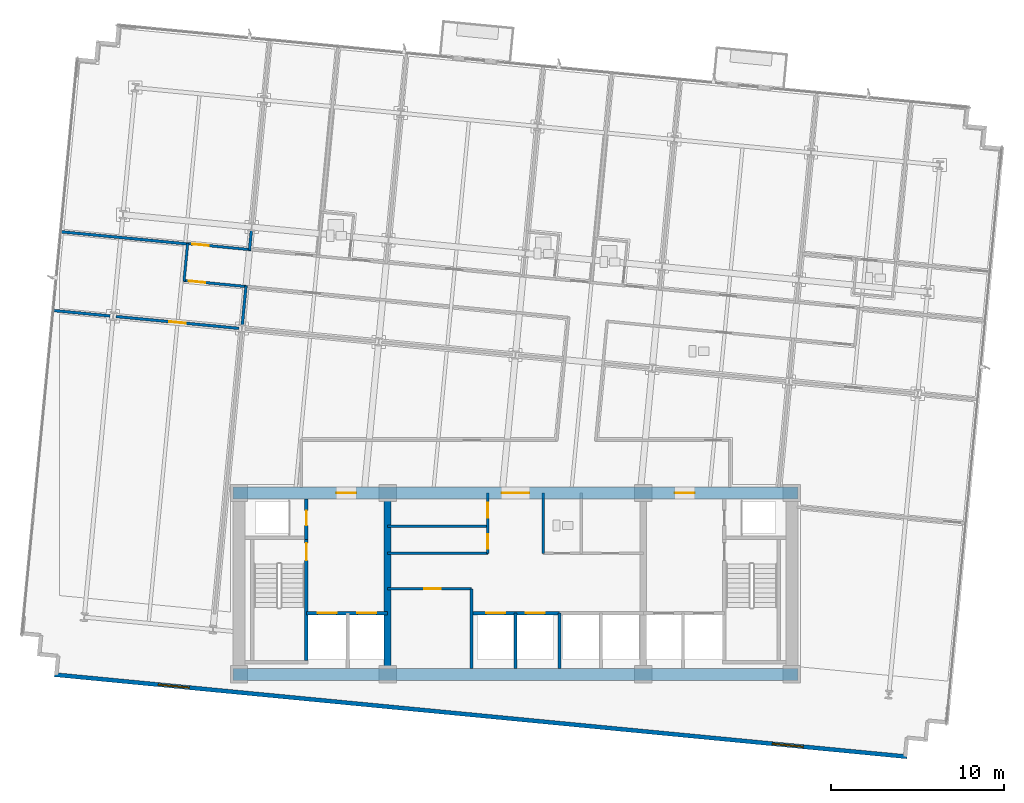
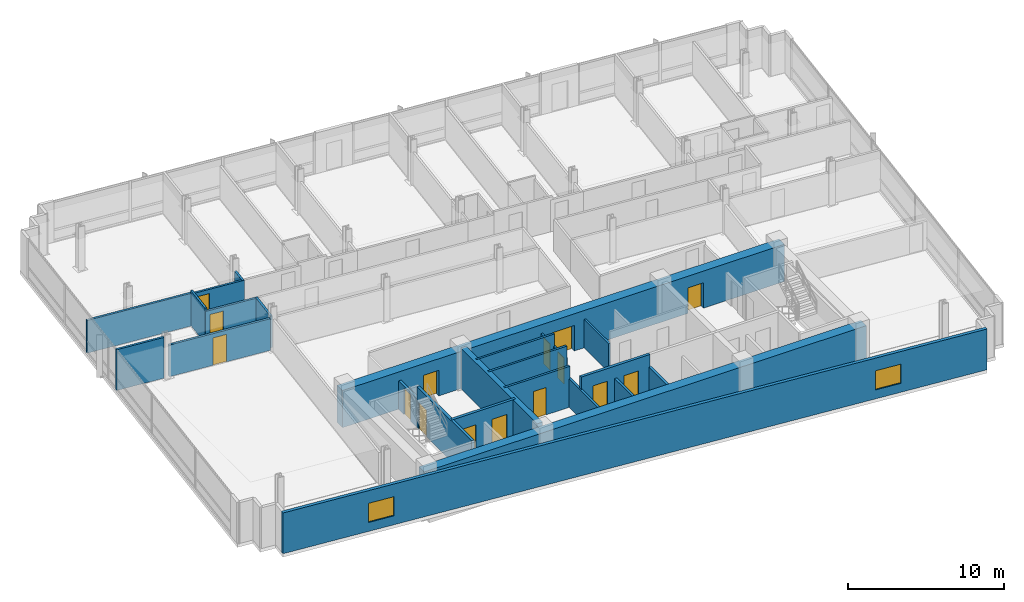
# One storey, part 10 of 17: 24 walls, 15 doors, 2 windows, 17 openings.
"""IFC4 building model written with IfcOpenShell, lengths in metres."""

from ifc_helpers import new_model, si_unit, direction, frame, frame_2d, origin, place, context, subcontext, project, spatial, rectangle, extrude, material, layer, layer_set, type_object, element, fill, save


model = new_model("IFC4")

# Units and contexts
model_context = context("Model", 3, precision=1e-05, world=origin(), true_north=direction((0.0, 1.0)))
body_context = subcontext(model_context, "Body", "Model", "MODEL_VIEW")
ifc_project = project(units=[si_unit("LENGTHUNIT", "METRE"), si_unit("AREAUNIT", "SQUARE_METRE"), si_unit("VOLUMEUNIT", "CUBIC_METRE"), si_unit("PLANEANGLEUNIT", "RADIAN"), si_unit("MASSUNIT", "GRAM", prefix="KILO")], contexts=[model_context])

# Site, building, storey
site_placement = place(None, origin())
site = spatial("IfcSite", under=ifc_project, at=site_placement, CompositionType="ELEMENT")
building_placement = place(site_placement, origin())
building = spatial("IfcBuilding", under=site, at=building_placement, Name="Solmavex Isthmus Hotel", CompositionType="ELEMENT")
storey_placement = place(building_placement, frame((0.0, 0.0, 170.39990234375)))
storey = spatial("IfcBuildingStorey", under=building, at=storey_placement, Name="L46", CompositionType="ELEMENT", Elevation=170.39990234375)

# Wall, openings, windows
ifc_material_1 = material(Name="Precast Concrete C40/50", Category="concrete")
ifc_layer_1 = layer(ifc_material_1, 0.25)
ifc_layer_set_1 = layer_set([ifc_layer_1], Name="Precast Concrete C40/50")
wall_type_1 = type_object("IfcWallType", Name="EW-TWR-250", PredefinedType="STANDARD", material=ifc_layer_set_1)
wall_1_placement = place(storey_placement, frame((-26.6953125, -13.01611328125, 0.0), z_axis=(0.0, 0.0, 1.0), x_axis=(0.995396268366, -0.095845025554, 0.0)))
wall_1 = element("IfcWall", 1, at=wall_1_placement, inside=storey, type_object=wall_type_1, Name="Tower Rear South Facade Wall L46", PredefinedType="STANDARD", context=body_context, shape_type="SweptSolid", body=[
    extrude(rectangle(XDim=49.599853515625, YDim=0.239990234375, at=frame_2d((24.7998046875, 0.0))), origin(), (0.0, 0.0, 1.0), 3.190185546875),
])
opening_1_placement = place(wall_1_placement, frame((6.0439453125, 0.0, 0.699951171875)))
opening_1 = element("IfcOpeningElement", 2, at=opening_1_placement, cuts=wall_1, Name="Opening WN-02", PredefinedType="OPENING", context=body_context, shape_type="SweptSolid", body=[
    extrude(rectangle(XDim=1.800048828125, YDim=1.5, at=frame_2d((0.89990234375, 0.75))), frame((0.0, 0.1298828125, 0.0), z_axis=(0.0, -1.0, 0.0), x_axis=(1.0, 0.0, 0.0)), (0.0, 0.0, 1.0), 0.260009765625),
])
opening_2_placement = place(wall_1_placement, frame((41.756103515625, 0.0, 0.699951171875)))
opening_2 = element("IfcOpeningElement", 3, at=opening_2_placement, cuts=wall_1, Name="Opening WN-02", PredefinedType="OPENING", context=body_context, shape_type="SweptSolid", body=[
    extrude(rectangle(XDim=1.800048828125, YDim=1.5, at=frame_2d((0.89990234375, 0.75))), frame((0.0, 0.1298828125, 0.0), z_axis=(0.0, -1.0, 0.0), x_axis=(1.0, 0.0, 0.0)), (0.0, 0.0, 1.0), 0.260009765625),
])
ifc_material_2 = material(Name="Clear low-E laminated glass", Category="glass")
window_type = type_object("IfcWindowType", Name="WIN-TWR-1800", PartitioningType="SINGLE_PANEL", PredefinedType="WINDOW", material=ifc_material_2)
window_1_placement = place(opening_1_placement, origin())
window_1 = element("IfcWindow", 4, at=window_1_placement, inside=storey, type_object=window_type, Name="South Facade Vision Window L46-S1", OverallHeight=1.5, OverallWidth=1.800048828125, PartitioningType="SINGLE_PANEL", PredefinedType="WINDOW", context=body_context, shape_type="SweptSolid", body=[
    extrude(rectangle(XDim=1.800048828125, YDim=1.5, at=frame_2d((0.89990234375, 0.75))), frame((0.0, 0.030029296875, 0.0), z_axis=(0.0, -1.0, 0.0), x_axis=(1.0, 0.0, 0.0)), (0.0, 0.0, 1.0), 0.06005859375),
])
fill(opening_1, window_1)
window_2_placement = place(opening_2_placement, origin())
window_2 = element("IfcWindow", 5, at=window_2_placement, inside=storey, type_object=window_type, Name="South Facade Vision Window L46-S2", OverallHeight=1.5, OverallWidth=1.800048828125, PartitioningType="SINGLE_PANEL", PredefinedType="WINDOW", context=body_context, shape_type="SweptSolid", body=[
    extrude(rectangle(XDim=1.800048828125, YDim=1.5, at=frame_2d((0.89990234375, 0.75))), frame((0.0, 0.030029296875, 0.0), z_axis=(0.0, -1.0, 0.0), x_axis=(1.0, 0.0, 0.0)), (0.0, 0.0, 1.0), 0.06005859375),
])
fill(opening_2, window_2)

# Wall, opening, door
ifc_material_3 = material(Name="Gypsum plasterboard lining", Category="gypsum")
ifc_layer_2 = layer(ifc_material_3, 0.159912109375)
ifc_layer_set_2 = layer_set([ifc_layer_2], Name="Gypsum plasterboard lining")
wall_type_2 = type_object("IfcWallType", Name="IW-COMP-160", PredefinedType="PARTITIONING", material=ifc_layer_set_2)
wall_2_placement = place(storey_placement, frame((-7.39990234375, -8.050048828125, 0.0), z_axis=(0.0, 0.0, 1.0), x_axis=(1.0, 0.0, 0.0)))
wall_2 = element("IfcWall", 6, at=wall_2_placement, inside=storey, type_object=wall_type_2, Name="Interior Partition Wall W-L46-REC-PLL-N", PredefinedType="PARTITIONING", context=body_context, shape_type="SweptSolid", body=[
    extrude(rectangle(XDim=4.849853515625, YDim=0.159912109375, at=frame_2d((2.4248046875, 0.0))), origin(), (0.0, 0.0, 1.0), 3.190185546875),
])
opening_3_placement = place(wall_2_placement, frame((2.125, 0.0, 0.0)))
opening_3 = element("IfcOpeningElement", 7, at=opening_3_placement, cuts=wall_2, Name="Opening ID-C095", PredefinedType="OPENING", context=body_context, shape_type="SweptSolid", body=[
    extrude(rectangle(XDim=0.949951171875, YDim=2.14990234375, at=frame_2d((0.47509765625, 1.074951171875))), frame((0.0, 0.08984375, 0.0), z_axis=(0.0, -1.0, 0.0), x_axis=(1.0, 0.0, 0.0)), (0.0, 0.0, 1.0), 0.179931640625),
])
ifc_material_4 = material(Name="Hardwood timber", Category="wood")
door_type_1 = type_object("IfcDoorType", Name="IDR-FD60-0950", OperationType="NOTDEFINED", PredefinedType="DOOR", material=ifc_material_4)
door_1_placement = place(opening_3_placement, origin())
door_1 = element("IfcDoor", 8, at=door_1_placement, inside=storey, type_object=door_type_1, Name="Linen Reserve Door L46", OperationType="SINGLE_SWING_LEFT", OverallHeight=2.14990234375, OverallWidth=0.949951171875, PredefinedType="DOOR", context=body_context, shape_type="SweptSolid", body=[
    extrude(rectangle(XDim=0.949951171875, YDim=2.14990234375, at=frame_2d((0.47509765625, 1.074951171875))), frame((0.0, 0.02490234375, 0.0), z_axis=(0.0, -1.0, 0.0), x_axis=(1.0, 0.0, 0.0)), (0.0, 0.0, 1.0), 0.050048828125),
])
fill(opening_3, door_1)

# Walls
wall_3_placement = place(storey_placement, frame((-2.550048828125, -12.64990234375, 0.0), z_axis=(0.0, 0.0, 1.0), x_axis=(0.0, 1.0, 0.0)))
element("IfcWall", 9, at=wall_3_placement, inside=storey, type_object=wall_type_2, Name="Interior Partition Wall W-L46-REC-PLL-E", PredefinedType="PARTITIONING", context=body_context, shape_type="SweptSolid", body=[
    extrude(rectangle(XDim=4.599853515625, YDim=0.159912109375, at=frame_2d((2.2998046875, 0.0))), origin(), (0.0, 0.0, 1.0), 2.22509765625),
])
wall_4_placement = place(storey_placement, frame((-15.2880859375, 12.720947265625, 0.0), z_axis=(0.0, 0.0, 1.0), x_axis=(-0.095831494917, -0.995397571115, 0.0)))
element("IfcWall", 10, at=wall_4_placement, inside=storey, type_object=wall_type_2, Name="Interior Partition Wall W-L46-P026", PredefinedType="PARTITIONING", context=body_context, shape_type="SweptSolid", body=[
    extrude(rectangle(XDim=1.171875, YDim=0.159912109375, at=frame_2d((0.5859375, 0.0))), origin(), (0.0, 0.0, 1.0), 2.4794921875),
])
wall_5_placement = place(storey_placement, frame((-18.942138671875, 11.91552734375, 0.0), z_axis=(0.0, 0.0, 1.0), x_axis=(-0.995395927026, 0.095848570461, 0.0)))
element("IfcWall", 11, at=wall_5_placement, inside=storey, type_object=wall_type_2, Name="Interior Partition Wall W-L46-P029", PredefinedType="PARTITIONING", context=body_context, shape_type="SweptSolid", body=[
    extrude(rectangle(XDim=7.44775390625, YDim=0.159912109375, at=frame_2d((3.723876953125, 0.0))), origin(), (0.0, 0.0, 1.0), 2.5576171875),
])
wall_6_placement = place(storey_placement, frame((-15.598876953125, 9.493896484375, 0.0), z_axis=(0.0, 0.0, 1.0), x_axis=(-0.09580488871, -0.995400132258, 0.0)))
element("IfcWall", 12, at=wall_6_placement, inside=storey, type_object=wall_type_2, Name="Interior Partition Wall W-L46-P065", PredefinedType="PARTITIONING", context=body_context, shape_type="SweptSolid", body=[
    extrude(rectangle(XDim=2.31396484375, YDim=0.159912109375, at=frame_2d((1.156982421875, 0.0))), origin(), (0.0, 0.0, 1.0), 2.4794921875),
])
wall_7_placement = place(storey_placement, frame((-23.466064453125, 7.75, 0.0), z_axis=(0.0, 0.0, 1.0), x_axis=(-0.995394839216, 0.095859866796, 0.0)))
element("IfcWall", 13, at=wall_7_placement, inside=storey, type_object=wall_type_2, Name="Interior Partition Wall W-L46-P066", PredefinedType="PARTITIONING", context=body_context, shape_type="SweptSolid", body=[
    extrude(rectangle(XDim=3.343994140625, YDim=0.159912109375, at=frame_2d((1.671875, 0.0))), origin(), (0.0, 0.0, 1.0), 3.190185546875),
])

# Wall, opening, door
wall_8_placement = place(storey_placement, frame((-16.0126953125, 7.0322265625, 0.0), z_axis=(0.0, 0.0, 1.0), x_axis=(-0.995394349304, 0.095864953831, 0.0)))
wall_8 = element("IfcWall", 14, at=wall_8_placement, inside=storey, type_object=wall_type_2, Name="Interior Partition Wall W-L46-P067", PredefinedType="PARTITIONING", context=body_context, shape_type="SweptSolid", body=[
    extrude(rectangle(XDim=7.135986328125, YDim=0.159912109375, at=frame_2d((3.56787109375, 0.0))), origin(), (0.0, 0.0, 1.0), 2.4794921875),
])
opening_4_placement = place(wall_8_placement, frame((3.093017578125, 0.0, 0.0)))
opening_4 = element("IfcOpeningElement", 15, at=opening_4_placement, cuts=wall_8, Name="Opening ID-C095", PredefinedType="OPENING", context=body_context, shape_type="SweptSolid", body=[
    extrude(rectangle(XDim=0.949951171875, YDim=2.14990234375, at=frame_2d((0.47509765625, 1.074951171875))), frame((0.0, 0.08984375, 0.0), z_axis=(0.0, -1.0, 0.0), x_axis=(1.0, 0.0, 0.0)), (0.0, 0.0, 1.0), 0.179931640625),
])
door_2_placement = place(opening_4_placement, origin())
door_2 = element("IfcDoor", 16, at=door_2_placement, inside=storey, type_object=door_type_1, Name="Corporate Briefing Office Door L46-23", OperationType="SINGLE_SWING_LEFT", OverallHeight=2.14990234375, OverallWidth=0.949951171875, PredefinedType="DOOR", context=body_context, shape_type="SweptSolid", body=[
    extrude(rectangle(XDim=0.949951171875, YDim=2.14990234375, at=frame_2d((0.47509765625, 1.074951171875))), frame((0.0, 0.02490234375, 0.0), z_axis=(0.0, -1.0, 0.0), x_axis=(1.0, 0.0, 0.0)), (0.0, 0.0, 1.0), 0.050048828125),
])
fill(opening_4, door_2)

# Wall
ifc_layer_3 = layer(ifc_material_3, 0.14990234375)
ifc_layer_set_3 = layer_set([ifc_layer_3], Name="Gypsum plasterboard lining")
wall_type_3 = type_object("IfcWallType", Name="IW-CORR-150", PredefinedType="PARTITIONING", material=ifc_layer_set_3)
wall_9_placement = place(storey_placement, frame((-7.39990234375, -6.0, 0.0), z_axis=(0.0, 0.0, 1.0), x_axis=(1.0, 0.0, 0.0)))
element("IfcWall", 17, at=wall_9_placement, inside=storey, type_object=wall_type_3, Name="Interior Partition Wall W-L46-BOH-WS", PredefinedType="PARTITIONING", context=body_context, shape_type="SweptSolid", body=[
    extrude(rectangle(XDim=5.7998046875, YDim=0.14990234375, at=frame_2d((2.89990234375, 0.0))), origin(), (0.0, 0.0, 1.0), 3.190185546875),
])

# Wall, openings, doors
wall_10_placement = place(storey_placement, frame((-1.60009765625, -6.0, 0.0), z_axis=(0.0, 0.0, 1.0), x_axis=(0.0, 1.0, 0.0)))
wall_10 = element("IfcWall", 18, at=wall_10_placement, inside=storey, type_object=wall_type_3, Name="Interior Partition Wall W-L46-BOH-WE", PredefinedType="PARTITIONING", context=body_context, shape_type="SweptSolid", body=[
    extrude(rectangle(XDim=3.5, YDim=0.14990234375, at=frame_2d((1.75, 0.0))), origin(), (0.0, 0.0, 1.0), 2.22509765625),
])
opening_5_placement = place(wall_10_placement, frame((0.27490234375, 0.0, 0.0)))
opening_5 = element("IfcOpeningElement", 19, at=opening_5_placement, cuts=wall_10, Name="Opening ID-R085", PredefinedType="OPENING", context=body_context, shape_type="SweptSolid", body=[
    extrude(rectangle(XDim=0.85009765625, YDim=2.050048828125, at=frame_2d((0.425048828125, 1.02490234375))), frame((0.0, 0.0849609375, 0.0), z_axis=(0.0, -1.0, 0.0), x_axis=(1.0, 0.0, 0.0)), (0.0, 0.0, 1.0), 0.169921875),
])
opening_6_placement = place(wall_10_placement, frame((2.074951171875, 0.0, 0.0)))
opening_6 = element("IfcOpeningElement", 20, at=opening_6_placement, cuts=wall_10, Name="Opening ID-R085", PredefinedType="OPENING", context=body_context, shape_type="SweptSolid", body=[
    extrude(rectangle(XDim=0.85009765625, YDim=2.050048828125, at=frame_2d((0.425048828125, 1.02490234375))), frame((0.0, 0.0849609375, 0.0), z_axis=(0.0, -1.0, 0.0), x_axis=(1.0, 0.0, 0.0)), (0.0, 0.0, 1.0), 0.169921875),
])
ifc_material_5 = material(Name="Steel ASTM A500 Grade C", Category="steel")
door_type_2 = type_object("IfcDoorType", Name="IDR-FD60-0850", OperationType="NOTDEFINED", PredefinedType="DOOR", material=ifc_material_5)
door_3_placement = place(opening_5_placement, origin())
door_3 = element("IfcDoor", 21, at=door_3_placement, inside=storey, type_object=door_type_2, Name="Housekeeping Door L46", OperationType="SINGLE_SWING_LEFT", OverallHeight=2.050048828125, OverallWidth=0.85009765625, PredefinedType="DOOR", context=body_context, shape_type="SweptSolid", body=[
    extrude(rectangle(XDim=0.85009765625, YDim=2.050048828125, at=frame_2d((0.425048828125, 1.02490234375))), frame((0.0, 0.02490234375, 0.0), z_axis=(0.0, -1.0, 0.0), x_axis=(1.0, 0.0, 0.0)), (0.0, 0.0, 1.0), 0.050048828125),
])
fill(opening_5, door_3)
door_4_placement = place(opening_6_placement, origin())
door_4 = element("IfcDoor", 22, at=door_4_placement, inside=storey, type_object=door_type_2, Name="Valet Store Door L46", OperationType="SINGLE_SWING_RIGHT", OverallHeight=2.050048828125, OverallWidth=0.85009765625, PredefinedType="DOOR", context=body_context, shape_type="SweptSolid", body=[
    extrude(rectangle(XDim=0.85009765625, YDim=2.050048828125, at=frame_2d((0.425048828125, 1.02490234375))), frame((0.0, 0.02490234375, 0.0), z_axis=(0.0, -1.0, 0.0), x_axis=(1.0, 0.0, 0.0)), (0.0, 0.0, 1.0), 0.050048828125),
])
fill(opening_6, door_4)

# Wall
wall_11_placement = place(storey_placement, frame((1.60009765625, -6.0, 0.0), z_axis=(0.0, 0.0, 1.0), x_axis=(0.0, 1.0, 0.0)))
element("IfcWall", 23, at=wall_11_placement, inside=storey, type_object=wall_type_3, Name="Interior Partition Wall W-L46-BOH-EW", PredefinedType="PARTITIONING", context=body_context, shape_type="SweptSolid", body=[
    extrude(rectangle(XDim=3.5, YDim=0.14990234375, at=frame_2d((1.75, 0.0))), origin(), (0.0, 0.0, 1.0), 2.22509765625),
])

# Wall, opening, door
wall_12_placement = place(storey_placement, frame((-19.019775390625, 11.943115234375, 0.0), z_axis=(0.0, 0.0, 1.0), x_axis=(0.995397364202, -0.095833644092, 0.0)))
wall_12 = element("IfcWall", 24, at=wall_12_placement, inside=storey, type_object=wall_type_3, Name="Interior Partition Wall W-L46-P001", PredefinedType="PARTITIONING", context=body_context, shape_type="SweptSolid", body=[
    extrude(rectangle(XDim=3.721923828125, YDim=0.14990234375, at=frame_2d((1.86083984375, 0.0))), origin(), (0.0, 0.0, 1.0), 2.4794921875),
])
opening_7_placement = place(wall_12_placement, frame((0.315185546875, 0.0, 0.0)))
opening_7 = element("IfcOpeningElement", 25, at=opening_7_placement, cuts=wall_12, Name="Opening ID-C095", PredefinedType="OPENING", context=body_context, shape_type="SweptSolid", body=[
    extrude(rectangle(XDim=0.949951171875, YDim=2.14990234375, at=frame_2d((0.47509765625, 1.074951171875))), frame((0.0, 0.0849609375, 0.0), z_axis=(0.0, -1.0, 0.0), x_axis=(1.0, 0.0, 0.0)), (0.0, 0.0, 1.0), 0.169921875),
])
door_5_placement = place(opening_7_placement, frame((0.949951171875, 0.0, 0.0), z_axis=(0.0, 0.0, 1.0), x_axis=(-1.0, 0.0, 0.0)))
door_5 = element("IfcDoor", 26, at=door_5_placement, inside=storey, type_object=door_type_1, Name="Executive Hospitality Lounge Door L46-01", OperationType="SINGLE_SWING_LEFT", OverallHeight=2.14990234375, OverallWidth=0.949951171875, PredefinedType="DOOR", context=body_context, shape_type="SweptSolid", body=[
    extrude(rectangle(XDim=0.949951171875, YDim=2.14990234375, at=frame_2d((0.47509765625, 1.074951171875))), frame((0.0, 0.02490234375, 0.0), z_axis=(0.0, -1.0, 0.0), x_axis=(1.0, 0.0, 0.0)), (0.0, 0.0, 1.0), 0.050048828125),
])
fill(opening_7, door_5)

wall_13_placement = place(storey_placement, frame((-15.52099609375, 9.4462890625, 0.0), z_axis=(0.0, 0.0, 1.0), x_axis=(-0.995397364202, 0.095833644092, 0.0)))
wall_13 = element("IfcWall", 27, at=wall_13_placement, inside=storey, type_object=wall_type_3, Name="Interior Partition Wall W-L46-P014", PredefinedType="PARTITIONING", context=body_context, shape_type="SweptSolid", body=[
    extrude(rectangle(XDim=3.721923828125, YDim=0.14990234375, at=frame_2d((1.86083984375, 0.0))), origin(), (0.0, 0.0, 1.0), 2.4794921875),
])
opening_8_placement = place(wall_13_placement, frame((2.456787109375, 0.0, 0.0)))
opening_8 = element("IfcOpeningElement", 28, at=opening_8_placement, cuts=wall_13, Name="Opening ID-C095", PredefinedType="OPENING", context=body_context, shape_type="SweptSolid", body=[
    extrude(rectangle(XDim=0.949951171875, YDim=2.14990234375, at=frame_2d((0.47509765625, 1.074951171875))), frame((0.0, 0.0849609375, 0.0), z_axis=(0.0, -1.0, 0.0), x_axis=(1.0, 0.0, 0.0)), (0.0, 0.0, 1.0), 0.169921875),
])
door_6_placement = place(opening_8_placement, frame((0.949951171875, 0.0, 0.0), z_axis=(0.0, 0.0, 1.0), x_axis=(-1.0, 0.0, 0.0)))
door_6 = element("IfcDoor", 29, at=door_6_placement, inside=storey, type_object=door_type_1, Name="Catering Servery Kitchen Door L46-16", OperationType="SINGLE_SWING_RIGHT", OverallHeight=2.14990234375, OverallWidth=0.949951171875, PredefinedType="DOOR", context=body_context, shape_type="SweptSolid", body=[
    extrude(rectangle(XDim=0.949951171875, YDim=2.14990234375, at=frame_2d((0.47509765625, 1.074951171875))), frame((0.0, 0.02490234375, 0.0), z_axis=(0.0, -1.0, 0.0), x_axis=(1.0, 0.0, 0.0)), (0.0, 0.0, 1.0), 0.050048828125),
])
fill(opening_8, door_6)

# Walls
wall_14_placement = place(storey_placement, frame((-19.18994140625, 9.75927734375, 0.0), z_axis=(0.0, 0.0, 1.0), x_axis=(0.095882898123, 0.995392620953, 0.0)))
element("IfcWall", 30, at=wall_14_placement, inside=storey, type_object=wall_type_3, Name="Interior Partition Wall W-L46-P015", PredefinedType="PARTITIONING", context=body_context, shape_type="SweptSolid", body=[
    extrude(rectangle(XDim=2.210205078125, YDim=0.14990234375, at=frame_2d((1.10498046875, 0.0))), origin(), (0.0, 0.0, 1.0), 2.71826171875),
])
ifc_layer_4 = layer(ifc_material_3, 0.1201171875)
ifc_layer_set_4 = layer_set([ifc_layer_4], Name="Gypsum plasterboard lining")
wall_type_4 = type_object("IfcWallType", Name="IW-PART-120", PredefinedType="PARTITIONING", material=ifc_layer_set_4)
wall_15_placement = place(storey_placement, frame((-7.39990234375, -4.425048828125, 0.0), z_axis=(0.0, 0.0, 1.0), x_axis=(1.0, 0.0, 0.0)))
element("IfcWall", 31, at=wall_15_placement, inside=storey, type_object=wall_type_4, Name="Interior Partition Wall W-L46-BOH-WH3", PredefinedType="PARTITIONING", context=body_context, shape_type="SweptSolid", body=[
    extrude(rectangle(XDim=5.7998046875, YDim=0.14990234375, at=frame_2d((2.89990234375, 0.0))), origin(), (0.0, 0.0, 1.0), 3.190185546875),
])
ifc_material_6 = material(Name="Concrete C40/50", Category="concrete")
ifc_layer_5 = layer(ifc_material_6, 0.179931640625)
ifc_layer_set_5 = layer_set([ifc_layer_5], Name="Concrete C40/50")
wall_type_5 = type_object("IfcWallType", Name="IW-SHAFT-180", PredefinedType="PARTITIONING", material=ifc_layer_set_5)
wall_16_placement = place(storey_placement, frame((0.0, -12.64990234375, 0.0), z_axis=(0.0, 0.0, 1.0), x_axis=(0.0, 1.0, 0.0)))
element("IfcWall", 32, at=wall_16_placement, inside=storey, type_object=wall_type_5, Name="Interior Partition Wall W-L46-SH-PLM-M", PredefinedType="PARTITIONING", context=body_context, shape_type="SweptSolid", body=[
    extrude(rectangle(XDim=3.199951171875, YDim=0.179931640625, at=frame_2d((1.60009765625, 0.0))), origin(), (0.0, 0.0, 1.0), 2.22509765625),
])

# Wall, opening, door
ifc_layer_6 = layer(ifc_material_6, 0.199951171875)
ifc_layer_set_6 = layer_set([ifc_layer_6], Name="Concrete C40/50")
wall_type_6 = type_object("IfcWallType", Name="IW-SHAFT-200", PredefinedType="PARTITIONING", material=ifc_layer_set_6)
wall_17_placement = place(storey_placement, frame((-12.10009765625, -5.199951171875, 0.0), z_axis=(0.0, 0.0, 1.0), x_axis=(0.0, 1.0, 0.0)))
wall_17 = element("IfcWall", 33, at=wall_17_placement, inside=storey, type_object=wall_type_6, Name="Interior Partition Wall W-L46-RSW-E", PredefinedType="PARTITIONING", context=body_context, shape_type="SweptSolid", body=[
    extrude(rectangle(XDim=2.349853515625, YDim=0.199951171875, at=frame_2d((1.1748046875, 0.0))), origin(), (0.0, 0.0, 1.0), 2.22509765625),
])
opening_9_placement = place(wall_17_placement, frame((0.824951171875, 0.0, 0.0)))
opening_9 = element("IfcOpeningElement", 34, at=opening_9_placement, cuts=wall_17, Name="Opening ID-R085", PredefinedType="OPENING", context=body_context, shape_type="SweptSolid", body=[
    extrude(rectangle(XDim=0.85009765625, YDim=2.050048828125, at=frame_2d((0.425048828125, 1.02490234375))), frame((0.0, 0.10986328125, 0.0), z_axis=(0.0, -1.0, 0.0), x_axis=(1.0, 0.0, 0.0)), (0.0, 0.0, 1.0), 0.219970703125),
])
door_7_placement = place(opening_9_placement, origin())
door_7 = element("IfcDoor", 35, at=door_7_placement, inside=storey, type_object=door_type_2, Name="Electrical Riser Door L46", OperationType="SINGLE_SWING_RIGHT", OverallHeight=2.050048828125, OverallWidth=0.85009765625, PredefinedType="DOOR", context=body_context, shape_type="SweptSolid", body=[
    extrude(rectangle(XDim=0.85009765625, YDim=2.050048828125, at=frame_2d((0.425048828125, 1.02490234375))), frame((0.0, 0.02490234375, 0.0), z_axis=(0.0, -1.0, 0.0), x_axis=(1.0, 0.0, 0.0)), (0.0, 0.0, 1.0), 0.050048828125),
])
fill(opening_9, door_7)

# Wall, openings, doors
wall_18_placement = place(storey_placement, frame((-12.10009765625, -9.449951171875, 0.0), z_axis=(0.0, 0.0, 1.0), x_axis=(1.0, 0.0, 0.0)))
wall_18 = element("IfcWall", 36, at=wall_18_placement, inside=storey, type_object=wall_type_6, Name="Interior Partition Wall W-L46-FFLW-S", PredefinedType="PARTITIONING", context=body_context, shape_type="SweptSolid", body=[
    extrude(rectangle(XDim=4.7001953125, YDim=0.199951171875, at=frame_2d((2.35009765625, 0.0))), origin(), (0.0, 0.0, 1.0), 3.190185546875),
])
opening_10_placement = place(wall_18_placement, frame((0.64990234375, 0.0, 0.0)))
opening_10 = element("IfcOpeningElement", 37, at=opening_10_placement, cuts=wall_18, Name="Opening LD-FF", PredefinedType="OPENING", context=body_context, shape_type="SweptSolid", body=[
    extrude(rectangle(XDim=1.10009765625, YDim=2.199951171875, at=frame_2d((0.550048828125, 1.10009765625))), frame((0.0, 0.10986328125, 0.0), z_axis=(0.0, -1.0, 0.0), x_axis=(1.0, 0.0, 0.0)), (0.0, 0.0, 1.0), 0.219970703125),
])
opening_11_placement = place(wall_18_placement, frame((2.949951171875, 0.0, 0.0)))
opening_11 = element("IfcOpeningElement", 38, at=opening_11_placement, cuts=wall_18, Name="Opening LD-SV", PredefinedType="OPENING", context=body_context, shape_type="SweptSolid", body=[
    extrude(rectangle(XDim=1.10009765625, YDim=2.199951171875, at=frame_2d((0.550048828125, 1.10009765625))), frame((0.0, 0.10986328125, 0.0), z_axis=(0.0, -1.0, 0.0), x_axis=(1.0, 0.0, 0.0)), (0.0, 0.0, 1.0), 0.219970703125),
])
ifc_material_7 = material(Name="Stainless steel 316", Category="steel")
door_type_3 = type_object("IfcDoorType", Name="LDR-FF-1100", OperationType="NOTDEFINED", PredefinedType="DOOR", material=ifc_material_7)
door_8_placement = place(opening_10_placement, origin())
door_8 = element("IfcDoor", 39, at=door_8_placement, inside=storey, type_object=door_type_3, Name="Lift Landing Door FFL-1 L46", OperationType="SLIDING_TO_LEFT", OverallHeight=2.199951171875, OverallWidth=1.10009765625, PredefinedType="DOOR", context=body_context, shape_type="SweptSolid", body=[
    extrude(rectangle(XDim=1.10009765625, YDim=2.199951171875, at=frame_2d((0.550048828125, 1.10009765625))), frame((0.0, 0.02490234375, 0.0), z_axis=(0.0, -1.0, 0.0), x_axis=(1.0, 0.0, 0.0)), (0.0, 0.0, 1.0), 0.050048828125),
])
fill(opening_10, door_8)
door_type_4 = type_object("IfcDoorType", Name="LDR-SV-1100", OperationType="NOTDEFINED", PredefinedType="DOOR", material=ifc_material_7)
door_9_placement = place(opening_11_placement, origin())
door_9 = element("IfcDoor", 40, at=door_9_placement, inside=storey, type_object=door_type_4, Name="Lift Landing Door SVL-1 L46", OperationType="SLIDING_TO_RIGHT", OverallHeight=2.199951171875, OverallWidth=1.10009765625, PredefinedType="DOOR", context=body_context, shape_type="SweptSolid", body=[
    extrude(rectangle(XDim=1.10009765625, YDim=2.199951171875, at=frame_2d((0.550048828125, 1.10009765625))), frame((0.0, 0.02490234375, 0.0), z_axis=(0.0, -1.0, 0.0), x_axis=(1.0, 0.0, 0.0)), (0.0, 0.0, 1.0), 0.050048828125),
])
fill(opening_11, door_9)

wall_19_placement = place(storey_placement, frame((-2.550048828125, -9.449951171875, 0.0), z_axis=(0.0, 0.0, 1.0), x_axis=(1.0, 0.0, 0.0)))
wall_19 = element("IfcWall", 41, at=wall_19_placement, inside=storey, type_object=wall_type_6, Name="Interior Partition Wall W-L46-SH-PLM", PredefinedType="PARTITIONING", context=body_context, shape_type="SweptSolid", body=[
    extrude(rectangle(XDim=5.10009765625, YDim=0.199951171875, at=frame_2d((2.550048828125, 0.0))), origin(), (0.0, 0.0, 1.0), 3.190185546875),
])
opening_12_placement = place(wall_19_placement, frame((0.85009765625, 0.0, 0.0)))
opening_12 = element("IfcOpeningElement", 42, at=opening_12_placement, cuts=wall_19, Name="Opening LD-PL", PredefinedType="OPENING", context=body_context, shape_type="SweptSolid", body=[
    extrude(rectangle(XDim=1.10009765625, YDim=2.199951171875, at=frame_2d((0.550048828125, 1.10009765625))), frame((0.0, 0.10986328125, 0.0), z_axis=(0.0, -1.0, 0.0), x_axis=(1.0, 0.0, 0.0)), (0.0, 0.0, 1.0), 0.219970703125),
])
opening_13_placement = place(wall_19_placement, frame((3.14990234375, 0.0, 0.0)))
opening_13 = element("IfcOpeningElement", 43, at=opening_13_placement, cuts=wall_19, Name="Opening LD-PL", PredefinedType="OPENING", context=body_context, shape_type="SweptSolid", body=[
    extrude(rectangle(XDim=1.10009765625, YDim=2.199951171875, at=frame_2d((0.550048828125, 1.10009765625))), frame((0.0, 0.10986328125, 0.0), z_axis=(0.0, -1.0, 0.0), x_axis=(1.0, 0.0, 0.0)), (0.0, 0.0, 1.0), 0.219970703125),
])
door_type_5 = type_object("IfcDoorType", Name="LDR-PL-1100", OperationType="NOTDEFINED", PredefinedType="DOOR", material=ifc_material_7)
door_10_placement = place(opening_12_placement, origin())
door_10 = element("IfcDoor", 44, at=door_10_placement, inside=storey, type_object=door_type_5, Name="Lift Landing Door PLM1 L46", OperationType="SLIDING_TO_RIGHT", OverallHeight=2.199951171875, OverallWidth=1.10009765625, PredefinedType="DOOR", context=body_context, shape_type="SweptSolid", body=[
    extrude(rectangle(XDim=1.10009765625, YDim=2.199951171875, at=frame_2d((0.550048828125, 1.10009765625))), frame((0.0, 0.02490234375, 0.0), z_axis=(0.0, -1.0, 0.0), x_axis=(1.0, 0.0, 0.0)), (0.0, 0.0, 1.0), 0.050048828125),
])
fill(opening_12, door_10)
door_11_placement = place(opening_13_placement, origin())
door_11 = element("IfcDoor", 45, at=door_11_placement, inside=storey, type_object=door_type_5, Name="Lift Landing Door PLM2 L46", OperationType="SLIDING_TO_RIGHT", OverallHeight=2.199951171875, OverallWidth=1.10009765625, PredefinedType="DOOR", context=body_context, shape_type="SweptSolid", body=[
    extrude(rectangle(XDim=1.10009765625, YDim=2.199951171875, at=frame_2d((0.550048828125, 1.10009765625))), frame((0.0, 0.02490234375, 0.0), z_axis=(0.0, -1.0, 0.0), x_axis=(1.0, 0.0, 0.0)), (0.0, 0.0, 1.0), 0.050048828125),
])
fill(opening_13, door_11)

# Walls
wall_20_placement = place(storey_placement, frame((2.550048828125, -12.64990234375, 0.0), z_axis=(0.0, 0.0, 1.0), x_axis=(0.0, 1.0, 0.0)))
element("IfcWall", 46, at=wall_20_placement, inside=storey, type_object=wall_type_6, Name="Interior Partition Wall W-L46-SH-PLM-E", PredefinedType="PARTITIONING", context=body_context, shape_type="SweptSolid", body=[
    extrude(rectangle(XDim=3.199951171875, YDim=0.199951171875, at=frame_2d((1.60009765625, 0.0))), origin(), (0.0, 0.0, 1.0), 2.22509765625),
])
ifc_material_8 = material(Name="Concrete C60/75", Category="concrete")
ifc_layer_7 = layer(ifc_material_8, 0.39990234375)
ifc_layer_set_7 = layer_set([ifc_layer_7], Name="Concrete C60/75")
wall_type_7 = type_object("IfcWallType", Name="WALL-CW-400M", PredefinedType="SHEAR", material=ifc_layer_set_7)
wall_21_placement = place(storey_placement, frame((-7.39990234375, -12.64990234375, 0.0), z_axis=(0.0, 0.0, 1.0), x_axis=(0.0, 1.0, 0.0)))
element("IfcWall", 47, at=wall_21_placement, inside=storey, type_object=wall_type_7, Name="Core Cross Shear Wall C1 L46", PredefinedType="SHEAR", context=body_context, shape_type="SweptSolid", body=[
    extrude(rectangle(XDim=9.7998046875, YDim=0.39990234375, at=frame_2d((4.89990234375, 0.0))), origin(), (0.0, 0.0, 1.0), 3.190185546875),
])
ifc_layer_8 = layer(ifc_material_8, 0.699951171875)
ifc_layer_set_8 = layer_set([ifc_layer_8], Name="Concrete C60/75")
wall_type_8 = type_object("IfcWallType", Name="WALL-CW-700", PredefinedType="SHEAR", material=ifc_layer_set_8)
wall_22_placement = place(storey_placement, frame((-16.35009765625, -13.0, 0.0), z_axis=(0.0, 0.0, 1.0), x_axis=(1.0, 0.0, 0.0)))
element("IfcWall", 48, at=wall_22_placement, inside=storey, type_object=wall_type_8, Name="Core Shear Wall South L46", PredefinedType="SHEAR", context=body_context, shape_type="SweptSolid", body=[
    extrude(rectangle(XDim=32.7001953125, YDim=0.699951171875, at=frame_2d((16.35009765625, 0.0))), origin(), (0.0, 0.0, 1.0), 2.91015625),
])

# Wall, openings, doors
wall_23_placement = place(storey_placement, frame((-16.35009765625, -2.5, 0.0), z_axis=(0.0, 0.0, 1.0), x_axis=(1.0, 0.0, 0.0)))
wall_23 = element("IfcWall", 49, at=wall_23_placement, inside=storey, type_object=wall_type_8, Name="Core Shear Wall North L46", PredefinedType="SHEAR", context=body_context, shape_type="SweptSolid", body=[
    extrude(rectangle(XDim=32.7001953125, YDim=0.699951171875, at=frame_2d((16.35009765625, 0.0))), origin(), (0.0, 0.0, 1.0), 2.91015625),
])
opening_14_placement = place(wall_23_placement, frame((5.97509765625, 0.0, 0.0)))
opening_14 = element("IfcOpeningElement", 50, at=opening_14_placement, cuts=wall_23, Name="Opening ID-F915", PredefinedType="OPENING", context=body_context, shape_type="SweptSolid", body=[
    extrude(rectangle(XDim=1.14990234375, YDim=2.0, at=frame_2d((0.574951171875, 1.0))), frame((0.0, 0.35986328125, 0.0), z_axis=(0.0, -1.0, 0.0), x_axis=(1.0, 0.0, 0.0)), (0.0, 0.0, 1.0), 0.719970703125),
])
opening_15_placement = place(wall_23_placement, frame((15.550048828125, 0.0, 0.0)))
opening_15 = element("IfcOpeningElement", 51, at=opening_15_placement, cuts=wall_23, Name="Opening ID-F960", PredefinedType="OPENING", context=body_context, shape_type="SweptSolid", body=[
    extrude(rectangle(XDim=1.60009765625, YDim=2.0, at=frame_2d((0.800048828125, 1.0))), frame((0.0, 0.35986328125, 0.0), z_axis=(0.0, -1.0, 0.0), x_axis=(1.0, 0.0, 0.0)), (0.0, 0.0, 1.0), 0.719970703125),
])
opening_16_placement = place(wall_23_placement, frame((25.574951171875, 0.0, 0.0)))
opening_16 = element("IfcOpeningElement", 52, at=opening_16_placement, cuts=wall_23, Name="Opening ID-F915", PredefinedType="OPENING", context=body_context, shape_type="SweptSolid", body=[
    extrude(rectangle(XDim=1.14990234375, YDim=2.0, at=frame_2d((0.574951171875, 1.0))), frame((0.0, 0.35986328125, 0.0), z_axis=(0.0, -1.0, 0.0), x_axis=(1.0, 0.0, 0.0)), (0.0, 0.0, 1.0), 0.719970703125),
])
door_type_6 = type_object("IfcDoorType", Name="IDR-FD90-1150C", OperationType="NOTDEFINED", PredefinedType="DOOR", material=ifc_material_5)
door_12_placement = place(opening_14_placement, origin())
door_12 = element("IfcDoor", 53, at=door_12_placement, inside=storey, type_object=door_type_6, Name="Firefighting Lobby West Exit Door L46", OperationType="SINGLE_SWING_LEFT", OverallHeight=2.0, OverallWidth=1.14990234375, PredefinedType="DOOR", context=body_context, shape_type="SweptSolid", body=[
    extrude(rectangle(XDim=1.14990234375, YDim=2.0, at=frame_2d((0.574951171875, 1.0))), frame((0.0, 0.02490234375, 0.0), z_axis=(0.0, -1.0, 0.0), x_axis=(1.0, 0.0, 0.0)), (0.0, 0.0, 1.0), 0.050048828125),
])
fill(opening_14, door_12)
door_13_placement = place(opening_16_placement, origin())
door_13 = element("IfcDoor", 54, at=door_13_placement, inside=storey, type_object=door_type_6, Name="Firefighting Lobby East Exit Door L46", OperationType="SINGLE_SWING_RIGHT", OverallHeight=2.0, OverallWidth=1.14990234375, PredefinedType="DOOR", context=body_context, shape_type="SweptSolid", body=[
    extrude(rectangle(XDim=1.14990234375, YDim=2.0, at=frame_2d((0.574951171875, 1.0))), frame((0.0, 0.02490234375, 0.0), z_axis=(0.0, -1.0, 0.0), x_axis=(1.0, 0.0, 0.0)), (0.0, 0.0, 1.0), 0.050048828125),
])
fill(opening_16, door_13)
door_type_7 = type_object("IfcDoorType", Name="IDR-FD90-1600C", OperationType="NOTDEFINED", PredefinedType="DOOR", material=ifc_material_5)
door_14_placement = place(opening_15_placement, origin())
door_14 = element("IfcDoor", 55, at=door_14_placement, inside=storey, type_object=door_type_7, Name="Central Lift Lobby Door L46", OperationType="DOUBLE_DOOR_SINGLE_SWING", OverallHeight=2.0, OverallWidth=1.60009765625, PredefinedType="DOOR", context=body_context, shape_type="SweptSolid", body=[
    extrude(rectangle(XDim=1.60009765625, YDim=2.0, at=frame_2d((0.800048828125, 1.0))), frame((0.0, 0.02490234375, 0.0), z_axis=(0.0, -1.0, 0.0), x_axis=(1.0, 0.0, 0.0)), (0.0, 0.0, 1.0), 0.050048828125),
])
fill(opening_15, door_14)

# Wall, opening, door
ifc_layer_9 = layer(ifc_material_6, 0.199951171875)
ifc_layer_set_9 = layer_set([ifc_layer_9], Name="Concrete C40/50")
wall_type_9 = type_object("IfcWallType", Name="WALL-SW-200", PredefinedType="SOLIDWALL", material=ifc_layer_set_9)
wall_24_placement = place(storey_placement, frame((-12.10009765625, -12.199951171875, 0.0), z_axis=(0.0, 0.0, 1.0), x_axis=(0.0, 1.0, 0.0)))
wall_24 = element("IfcWall", 56, at=wall_24_placement, inside=storey, type_object=wall_type_9, Name="Stairwell Structural Wall SW-L46-ST1-E", PredefinedType="SOLIDWALL", context=body_context, shape_type="SweptSolid", body=[
    extrude(rectangle(XDim=7.0, YDim=0.199951171875, at=frame_2d((3.5, 0.0))), origin(), (0.0, 0.0, 1.0), 3.190185546875),
])
opening_17_placement = place(wall_24_placement, frame((5.800048828125, 0.0, 0.0)))
opening_17 = element("IfcOpeningElement", 57, at=opening_17_placement, cuts=wall_24, Name="Opening ID-F100", PredefinedType="OPENING", context=body_context, shape_type="SweptSolid", body=[
    extrude(rectangle(XDim=1.0, YDim=2.10009765625, at=frame_2d((0.5, 1.050048828125))), frame((0.0, 0.10986328125, 0.0), z_axis=(0.0, -1.0, 0.0), x_axis=(1.0, 0.0, 0.0)), (0.0, 0.0, 1.0), 0.219970703125),
])
door_type_8 = type_object("IfcDoorType", Name="IDR-FD90-1000", OperationType="NOTDEFINED", PredefinedType="DOOR", material=ifc_material_5)
door_15_placement = place(opening_17_placement, frame((1.0, 0.0, 0.0), z_axis=(0.0, 0.0, 1.0), x_axis=(-1.0, 0.0, 0.0)))
door_15 = element("IfcDoor", 58, at=door_15_placement, inside=storey, type_object=door_type_8, Name="Stair ST-1 Fire Door L46", OperationType="SINGLE_SWING_LEFT", OverallHeight=2.10009765625, OverallWidth=1.0, PredefinedType="DOOR", context=body_context, shape_type="SweptSolid", body=[
    extrude(rectangle(XDim=1.0, YDim=2.10009765625, at=frame_2d((0.5, 1.050048828125))), frame((0.0, 0.02490234375, 0.0), z_axis=(0.0, -1.0, 0.0), x_axis=(1.0, 0.0, 0.0)), (0.0, 0.0, 1.0), 0.050048828125),
])
fill(opening_17, door_15)

save(model, "model.ifc")
